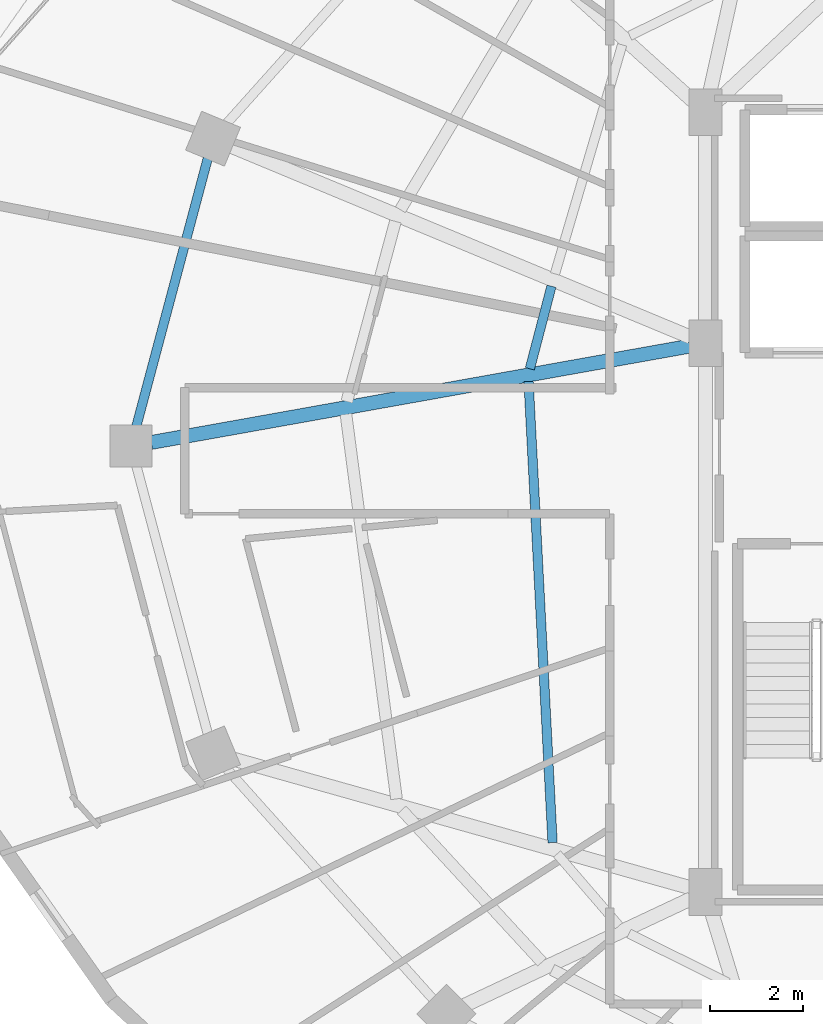
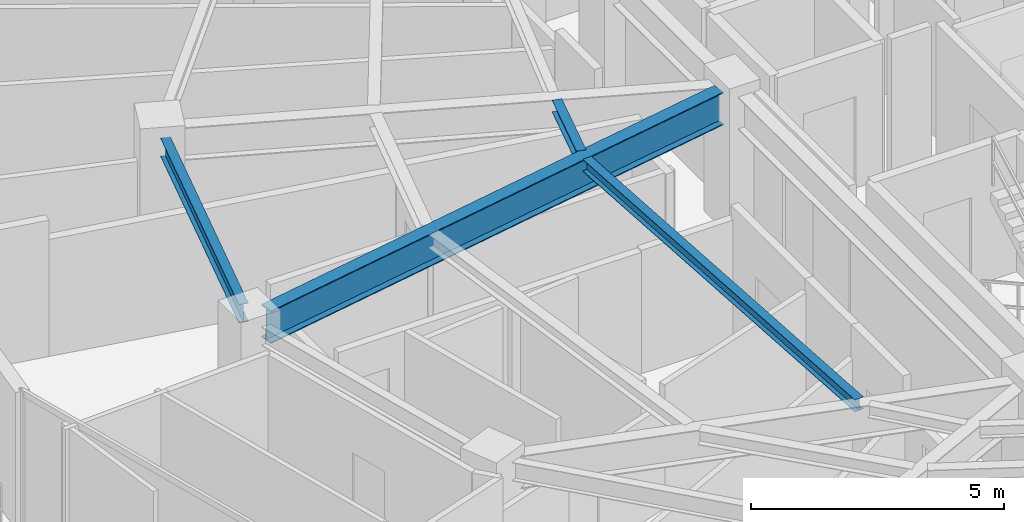
# One storey, part 8 of 34: 4 beams.
"""IFC4 building model written with IfcOpenShell, lengths in metres."""

from ifc_helpers import new_model, si_unit, direction, frame, origin, origin_2d, place, context, subcontext, project, spatial, i_section, extrude, material, material_profile, profile_set, type_object, element, save


model = new_model("IFC4")

# Units and contexts
model_context = context("Model", 3, precision=1e-05, world=origin(), true_north=direction((0.0, 1.0)))
body_context = subcontext(model_context, "Body", "Model", "MODEL_VIEW")
ifc_project = project(units=[si_unit("LENGTHUNIT", "METRE"), si_unit("AREAUNIT", "SQUARE_METRE"), si_unit("VOLUMEUNIT", "CUBIC_METRE"), si_unit("PLANEANGLEUNIT", "RADIAN"), si_unit("MASSUNIT", "GRAM", prefix="KILO")], contexts=[model_context])

# Site, building, storey
site_placement = place(None, origin())
site = spatial("IfcSite", under=ifc_project, at=site_placement, CompositionType="ELEMENT")
building_placement = place(site_placement, origin())
building = spatial("IfcBuilding", under=site, at=building_placement, Name="Vorneva Point Tower", CompositionType="ELEMENT")
storey_placement = place(building_placement, frame((0.0, 0.0, 214.300048828125)))
storey = spatial("IfcBuildingStorey", under=building, at=storey_placement, Name="L58", CompositionType="ELEMENT", Elevation=214.300048828125)

# Beams
ifc_material = material(Name="Steel S355", Category="steel")
ifc_material_profile_1 = material_profile(ifc_material, i_section(OverallWidth=0.300048828125, OverallDepth=0.7880859375, WebThickness=0.014404296875, FlangeThickness=0.02197265625, at=origin_2d()), Name="80Sh1")
ifc_profile_set_1 = profile_set([ifc_material_profile_1], Name="Steel S355")
beam_type_1 = type_object("IfcBeamType", Name="BM-GRD-80Sh1", PredefinedType="USERDEFINED", material=ifc_profile_set_1)
beam_1_placement = place(storey_placement, frame((15.381103515625, 26.0771484375, 2.89599609375), z_axis=(0.984378602255, 0.176064668298, 0.0), x_axis=(-0.176064668298, 0.984378602255, 0.0)))
element("IfcBeam", 1, at=beam_1_placement, inside=storey, type_object=beam_type_1, Name="L58 Radial Primary Girder 09", ObjectType="GIRDER", PredefinedType="USERDEFINED", context=body_context, shape_type="SweptSolid", body=[
    extrude(i_section(OverallWidth=0.300048828125, OverallDepth=0.7880859375, WebThickness=0.014404296875, FlangeThickness=0.02197265625, at=origin_2d()), origin(), (0.0, 0.0, 1.0), 11.71728515625),
])
ifc_material_profile_2 = material_profile(ifc_material, i_section(OverallWidth=0.199951171875, OverallDepth=0.291015625, WebThickness=0.008056640625, FlangeThickness=0.010986328125, at=origin_2d()), Name="30Sh1")
ifc_profile_set_2 = profile_set([ifc_material_profile_2], Name="Steel S355")
beam_type_2 = type_object("IfcBeamType", Name="BM-SEC-30Sh1", PredefinedType="BEAM", material=ifc_profile_set_2)
beam_2_placement = place(storey_placement, frame((23.952880859375, 29.422119140625, 3.14453125), z_axis=(-0.25336832433, -0.967369883874, 0.0), x_axis=(0.967369883874, -0.25336832433, 0.0)))
element("IfcBeam", 2, at=beam_2_placement, inside=storey, type_object=beam_type_2, Name="L58 Secondary Floor Beam 2.08", PredefinedType="BEAM", context=body_context, shape_type="SweptSolid", body=[
    extrude(i_section(OverallWidth=0.199951171875, OverallDepth=0.291015625, WebThickness=0.008056640625, FlangeThickness=0.010986328125, at=origin_2d()), origin(), (0.0, 0.0, 1.0), 1.826904296875),
])
beam_3_placement = place(storey_placement, frame((23.462158203125, 27.38330078125, 3.14453125), z_axis=(0.052014629383, -0.998646322944, 0.0), x_axis=(0.998646322944, 0.052014629383, 0.0)))
element("IfcBeam", 3, at=beam_3_placement, inside=storey, type_object=beam_type_2, Name="L58 Secondary Floor Beam 2.09", PredefinedType="BEAM", context=body_context, shape_type="SweptSolid", body=[
    extrude(i_section(OverallWidth=0.199951171875, OverallDepth=0.291015625, WebThickness=0.008056640625, FlangeThickness=0.010986328125, at=origin_2d()), origin(), (0.0, 0.0, 1.0), 9.8896484375),
])
ifc_material_profile_3 = material_profile(ifc_material, i_section(OverallWidth=0.198974609375, OverallDepth=0.446044921875, WebThickness=0.008056640625, FlangeThickness=0.011962890625, at=origin_2d()), Name="45B1")
ifc_profile_set_3 = profile_set([ifc_material_profile_3], Name="Steel S355")
beam_type_3 = type_object("IfcBeamType", Name="BM-SPN-45B1", PredefinedType="SPANDREL", material=ifc_profile_set_3)
beam_4_placement = place(storey_placement, frame((16.592529296875, 32.161865234375, 3.06689453125), z_axis=(-0.257578258003, -0.966257440336, 0.0), x_axis=(0.966257440336, -0.257578258003, 0.0)))
element("IfcBeam", 4, at=beam_4_placement, inside=storey, type_object=beam_type_3, Name="L58 Perimeter Spandrel Ring Beam 08", PredefinedType="SPANDREL", context=body_context, shape_type="SweptSolid", body=[
    extrude(i_section(OverallWidth=0.198974609375, OverallDepth=0.446044921875, WebThickness=0.008056640625, FlangeThickness=0.011962890625, at=origin_2d()), origin(), (0.0, 0.0, 1.0), 5.94189453125),
])

save(model, "model.ifc")
